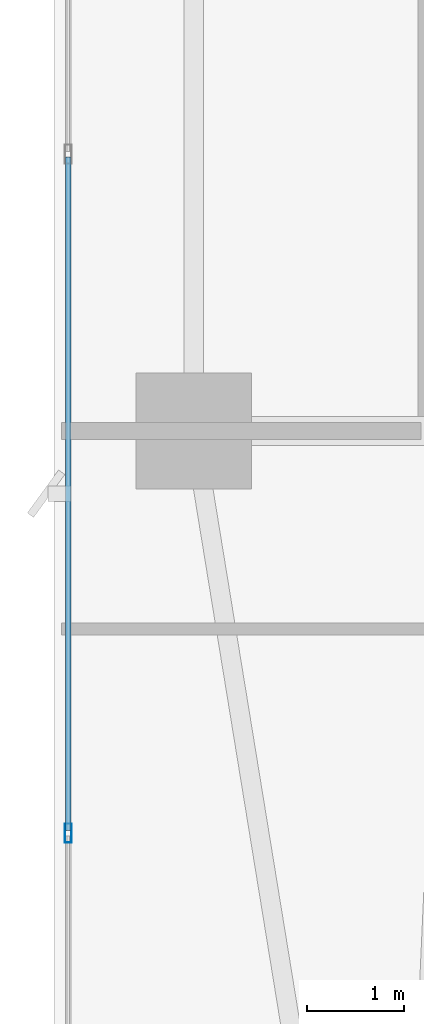
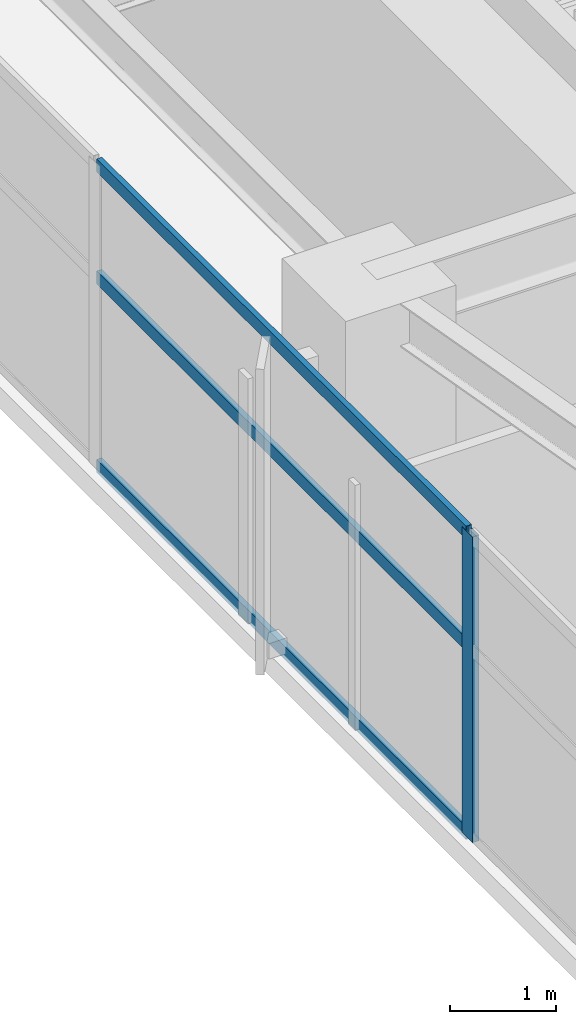
# One storey, part 4 of 28: 4 members, 1 element without a shape of its own.
"""IFC4 building model written with IfcOpenShell, lengths in metres."""

from ifc_helpers import new_model, si_unit, direction, frame, origin, origin_2d, place, context, subcontext, project, spatial, hollow_rectangle, extrude, material, layer, layer_set, material_profile, profile_set, type_object, element, aggregate, save


model = new_model("IFC4")

# Units and contexts
model_context = context("Model", 3, precision=1e-05, world=origin(), true_north=direction((0.0, 1.0)))
body_context = subcontext(model_context, "Body", "Model", "MODEL_VIEW")
ifc_project = project(units=[si_unit("LENGTHUNIT", "METRE"), si_unit("AREAUNIT", "SQUARE_METRE"), si_unit("VOLUMEUNIT", "CUBIC_METRE"), si_unit("PLANEANGLEUNIT", "RADIAN"), si_unit("MASSUNIT", "GRAM", prefix="KILO")], contexts=[model_context])

# Site, building, storey
site_placement = place(None, origin())
site = spatial("IfcSite", under=ifc_project, at=site_placement, CompositionType="ELEMENT")
building_placement = place(site_placement, origin())
building = spatial("IfcBuilding", under=site, at=building_placement, Name="Calvorn Quay Hotel", CompositionType="ELEMENT")
storey_placement = place(building_placement, frame((0.0, 0.0, 135.39990234375)))
storey = spatial("IfcBuildingStorey", under=building, at=storey_placement, Name="L33", CompositionType="ELEMENT", Elevation=135.39990234375)

# Curtain wall, members
ifc_material_1 = material(Name="Pale Anodised Aluminium and Low-E Glass", Category="aluminium")
ifc_layer = layer(ifc_material_1, 0.219970703125)
ifc_layer_set = layer_set([ifc_layer], Name="CW-SYS-Z2")
curtain_wall_type = type_object("IfcCurtainWallType", Name="CW-SYS-Z2", PredefinedType="NOTDEFINED", material=ifc_layer_set)
curtain_wall_placement = place(storey_placement, origin())
curtain_wall = element("IfcCurtainWall", 1, at=curtain_wall_placement, inside=storey, type_object=curtain_wall_type, Name="Tower West Curtain Wall (L33)", PredefinedType="NOTDEFINED")
ifc_material_2 = material(Name="Pale Anodised Aluminium 6063-T6", Category="aluminium")
ifc_material_profile_1 = material_profile(ifc_material_2, hollow_rectangle(XDim=0.070068359375, YDim=0.199951171875, WallThickness=0.00390625, at=origin_2d()), Name="ALU-M200x70x4")
ifc_profile_set_1 = profile_set([ifc_material_profile_1], Name="Pale Anodised Aluminium 6063-T6")
member_type_1 = type_object("IfcMemberType", Name="CW-SYS-Z2-MUL", PredefinedType="MULLION", material=ifc_profile_set_1)
member_1_placement = place(storey_placement, frame((0.14990234375, 12.63330078125, 0.0), z_axis=(0.0, 0.0, 1.0), x_axis=(-1.0, 0.0, 0.0)))
member_1 = element("IfcMember", 2, at=member_1_placement, type_object=member_type_1, Name="CW-L33-W mullion 2", PredefinedType="MULLION", context=body_context, shape_type="SweptSolid", body=[
    extrude(hollow_rectangle(XDim=0.070068359375, YDim=0.199951171875, WallThickness=0.00390625, at=origin_2d()), origin(), (0.0, 0.0, 1.0), 3.52001953125),
])
ifc_material_3 = material(Name="Pale Anodised Aluminium 6063-T6", Category="aluminium")
ifc_material_profile_2 = material_profile(ifc_material_3, hollow_rectangle(XDim=0.06005859375, YDim=0.14990234375, WallThickness=0.00341796875, at=origin_2d()), Name="ALU-T150x60x3.5")
ifc_profile_set_2 = profile_set([ifc_material_profile_2], Name="Pale Anodised Aluminium 6063-T6")
member_type_2 = type_object("IfcMemberType", Name="CW-SYS-Z2-TRN", PredefinedType="USERDEFINED", material=ifc_profile_set_2)
member_2_placement = place(storey_placement, frame((0.14990234375, 12.663330078125, 0.030029296875), z_axis=(0.0, 1.0, 0.0), x_axis=(-1.0, 0.0, 0.0)))
member_2 = element("IfcMember", 3, at=member_2_placement, type_object=member_type_2, Name="CW-L33-W transom 2.1", ObjectType="TRANSOM", PredefinedType="USERDEFINED", context=body_context, shape_type="SweptSolid", body=[
    extrude(hollow_rectangle(XDim=0.06005859375, YDim=0.14990234375, WallThickness=0.00341796875, at=origin_2d()), origin(), (0.0, 0.0, 1.0), 6.973388671875),
])
member_3_placement = place(storey_placement, frame((0.14990234375, 12.663330078125, 2.2001953125), z_axis=(0.0, 1.0, 0.0), x_axis=(-1.0, 0.0, 0.0)))
member_3 = element("IfcMember", 4, at=member_3_placement, type_object=member_type_2, Name="CW-L33-W transom 2.2", ObjectType="TRANSOM", PredefinedType="USERDEFINED", context=body_context, shape_type="SweptSolid", body=[
    extrude(hollow_rectangle(XDim=0.06005859375, YDim=0.14990234375, WallThickness=0.00341796875, at=origin_2d()), origin(), (0.0, 0.0, 1.0), 6.973388671875),
])
member_4_placement = place(storey_placement, frame((0.14990234375, 12.663330078125, 3.489990234375), z_axis=(0.0, 1.0, 0.0), x_axis=(-1.0, 0.0, 0.0)))
member_4 = element("IfcMember", 5, at=member_4_placement, type_object=member_type_2, Name="CW-L33-W transom 2.3", ObjectType="TRANSOM", PredefinedType="USERDEFINED", context=body_context, shape_type="SweptSolid", body=[
    extrude(hollow_rectangle(XDim=0.06005859375, YDim=0.14990234375, WallThickness=0.00341796875, at=origin_2d()), origin(), (0.0, 0.0, 1.0), 6.973388671875),
])
aggregate(curtain_wall, [member_1, member_2, member_3, member_4])

save(model, "model.ifc")
